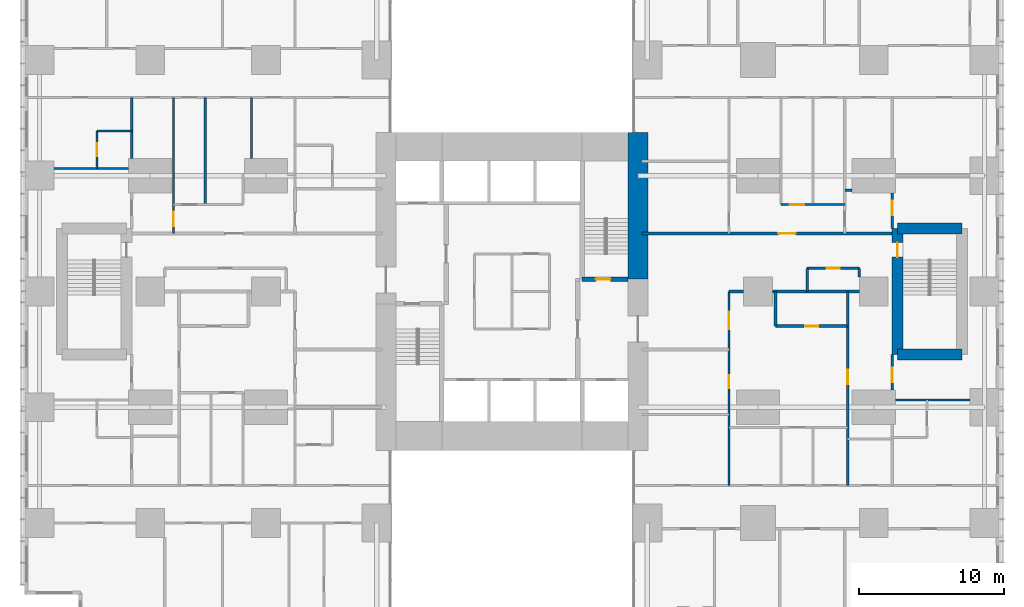
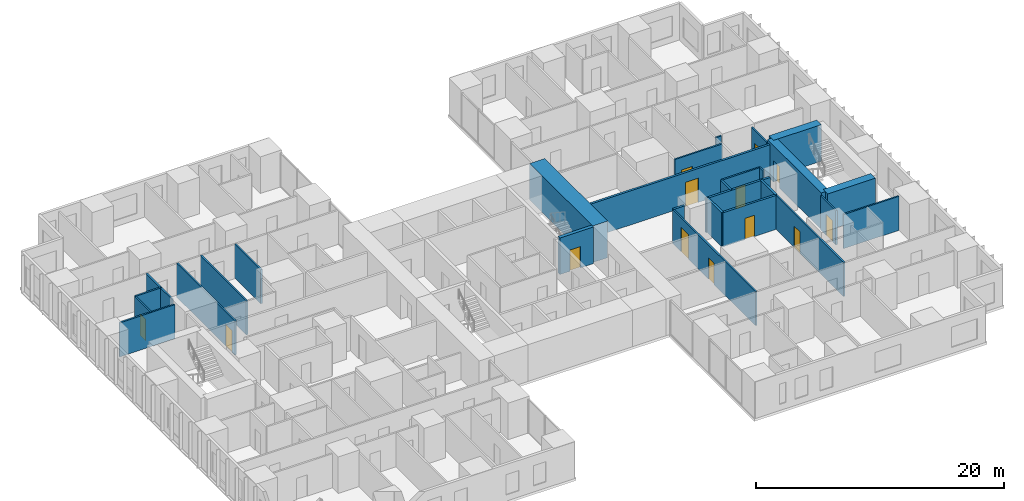
# One storey, part 16 of 20: 28 walls, 13 doors, 13 openings.
"""IFC4 building model written with IfcOpenShell, lengths in metres."""

from ifc_helpers import new_model, si_unit, direction, frame, frame_2d, origin, place, context, subcontext, project, spatial, rectangle, extrude, material, layer, layer_set, type_object, element, fill, save


model = new_model("IFC4")

# Units and contexts
model_context = context("Model", 3, precision=1e-05, world=origin(), true_north=direction((0.0, 1.0)))
body_context = subcontext(model_context, "Body", "Model", "MODEL_VIEW")
ifc_project = project(units=[si_unit("LENGTHUNIT", "METRE"), si_unit("AREAUNIT", "SQUARE_METRE"), si_unit("VOLUMEUNIT", "CUBIC_METRE"), si_unit("PLANEANGLEUNIT", "RADIAN"), si_unit("MASSUNIT", "GRAM", prefix="KILO")], contexts=[model_context])

# Site, building, storey
site_placement = place(None, origin())
site = spatial("IfcSite", under=ifc_project, at=site_placement, CompositionType="ELEMENT")
building_placement = place(site_placement, origin())
building = spatial("IfcBuilding", under=site, at=building_placement, Name="Cleftline Residences", CompositionType="ELEMENT")
storey_placement = place(building_placement, frame((0.0, 0.0, 44.0)))
storey = spatial("IfcBuildingStorey", under=building, at=storey_placement, Name="L10", CompositionType="ELEMENT", Elevation=44.0)

# Wall
ifc_material_1 = material(Name="Concrete B70", Category="concrete")
ifc_layer_1 = layer(ifc_material_1, 1.39990234375)
ifc_layer_set_1 = layer_set([ifc_layer_1], Name="CORE WALL 1400")
wall_type_1 = type_object("IfcWallType", Name="CORE WALL 1400", PredefinedType="SHEAR", material=ifc_layer_set_1)
wall_1_placement = place(storey_placement, frame((41.699951171875, 24.85009765625, 0.0), z_axis=(0.0, 0.0, 1.0), x_axis=(0.0, 1.0, 0.0)))
element("IfcWall", 1, at=wall_1_placement, inside=storey, type_object=wall_type_1, Name="Core wall E1", PredefinedType="SHEAR", context=body_context, shape_type="SweptSolid", body=[
    extrude(rectangle(XDim=10.14990234375, YDim=1.39990234375, at=frame_2d((5.074951171875, 0.0))), origin(), (0.0, 0.0, 1.0), 3.60009765625),
])

# Wall, opening, door
ifc_material_2 = material(Name="Concrete B70", Category="concrete")
ifc_layer_2 = layer(ifc_material_2, 0.300048828125)
ifc_layer_set_2 = layer_set([ifc_layer_2], Name="CORE WALL 300")
wall_type_2 = type_object("IfcWallType", Name="CORE WALL 300", PredefinedType="SHEAR", material=ifc_layer_set_2)
wall_2_placement = place(storey_placement, frame((37.85009765625, 24.85009765625, 0.0), z_axis=(0.0, 0.0, 1.0), x_axis=(1.0, 0.0, 0.0)))
wall_2 = element("IfcWall", 2, at=wall_2_placement, inside=storey, type_object=wall_type_2, Name="Core wall SB-S", PredefinedType="SHEAR", context=body_context, shape_type="SweptSolid", body=[
    extrude(rectangle(XDim=3.14990234375, YDim=0.300048828125, at=frame_2d((1.574951171875, 0.0))), origin(), (0.0, 0.0, 1.0), 3.60009765625),
])
opening_1_placement = place(wall_2_placement, frame((0.949951171875, 0.0, 0.0)))
opening_1 = element("IfcOpeningElement", 3, at=opening_1_placement, cuts=wall_2, Name="Opening D5", PredefinedType="OPENING", context=body_context, shape_type="SweptSolid", body=[
    extrude(rectangle(XDim=1.0, YDim=2.10009765625, at=frame_2d((0.5, 1.050048828125))), frame((0.0, 0.159912109375, 0.0), z_axis=(0.0, -1.0, 0.0), x_axis=(1.0, 0.0, 0.0)), (0.0, 0.0, 1.0), 0.320068359375),
])
ifc_material_3 = material(Name="Steel", Category="steel")
door_type_1 = type_object("IfcDoorType", Name="STAIR DOOR 1000X2100", OperationType="SINGLE_SWING_LEFT", PredefinedType="DOOR", material=ifc_material_3)
door_1_placement = place(opening_1_placement, origin())
door_1 = element("IfcDoor", 4, at=door_1_placement, inside=storey, type_object=door_type_1, Name="Stair B door", OperationType="SINGLE_SWING_RIGHT", OverallHeight=2.10009765625, OverallWidth=1.0, PredefinedType="DOOR", context=body_context, shape_type="SweptSolid", body=[
    extrude(rectangle(XDim=1.0, YDim=2.10009765625, at=frame_2d((0.5, 1.050048828125))), frame((0.0, 0.02490234375, 0.0), z_axis=(0.0, -1.0, 0.0), x_axis=(1.0, 0.0, 0.0)), (0.0, 0.0, 1.0), 0.050048828125),
])
fill(opening_1, door_1)

ifc_material_4 = material(Name="Concrete blockwork, fire rated", Category="masonry")
ifc_layer_3 = layer(ifc_material_4, 0.199951171875)
ifc_layer_set_3 = layer_set([ifc_layer_3], Name="FIRE WALL 200")
wall_type_3 = type_object("IfcWallType", Name="FIRE WALL 200", PredefinedType="PARTITIONING", material=ifc_layer_set_3)
wall_3_placement = place(storey_placement, frame((51.199951171875, 21.60009765625, 0.0), z_axis=(0.0, 0.0, 1.0), x_axis=(1.0, 0.0, 0.0)))
wall_3 = element("IfcWall", 5, at=wall_3_placement, inside=storey, type_object=wall_type_3, Name="Fire separating wall", PredefinedType="PARTITIONING", context=body_context, shape_type="SweptSolid", body=[
    extrude(rectangle(XDim=5.0, YDim=0.199951171875, at=frame_2d((2.5, 0.0))), origin(), (0.0, 0.0, 1.0), 3.35009765625),
])
opening_2_placement = place(wall_3_placement, frame((2.050048828125, 0.0, 0.0)))
opening_2 = element("IfcOpeningElement", 6, at=opening_2_placement, cuts=wall_3, Name="Opening D1F30", PredefinedType="OPENING", context=body_context, shape_type="SweptSolid", body=[
    extrude(rectangle(XDim=0.89990234375, YDim=2.10009765625, at=frame_2d((0.449951171875, 1.050048828125))), frame((0.0, 0.10986328125, 0.0), z_axis=(0.0, -1.0, 0.0), x_axis=(1.0, 0.0, 0.0)), (0.0, 0.0, 1.0), 0.219970703125),
])
ifc_material_5 = material(Name="Timber veneer on solid core", Category="wood")
door_type_2 = type_object("IfcDoorType", Name="DOOR 900X2100 EI 30", OperationType="SINGLE_SWING_LEFT", PredefinedType="DOOR", material=ifc_material_5)
door_2_placement = place(opening_2_placement, origin())
door_2 = element("IfcDoor", 7, at=door_2_placement, inside=storey, type_object=door_type_2, Name="Door to cloakroom wc", OperationType="SINGLE_SWING_LEFT", OverallHeight=2.10009765625, OverallWidth=0.89990234375, PredefinedType="DOOR", context=body_context, shape_type="SweptSolid", body=[
    extrude(rectangle(XDim=0.89990234375, YDim=2.10009765625, at=frame_2d((0.449951171875, 1.050048828125))), frame((0.0, 0.02490234375, 0.0), z_axis=(0.0, -1.0, 0.0), x_axis=(1.0, 0.0, 0.0)), (0.0, 0.0, 1.0), 0.050048828125),
])
fill(opening_2, door_2)

# Walls
wall_4_placement = place(storey_placement, frame((48.0, 24.0, 0.0), z_axis=(0.0, 0.0, 1.0), x_axis=(1.0, 0.0, 0.0)))
element("IfcWall", 8, at=wall_4_placement, inside=storey, type_object=wall_type_3, Name="Fire separating wall", PredefinedType="PARTITIONING", context=body_context, shape_type="SweptSolid", body=[
    extrude(rectangle(XDim=1.0, YDim=0.199951171875, at=frame_2d((0.5, 0.0))), origin(), (0.0, 0.0, 1.0), 3.35009765625),
])
wall_5_placement = place(storey_placement, frame((51.0, 24.0, 0.0), z_axis=(0.0, 0.0, 1.0), x_axis=(1.0, 0.0, 0.0)))
element("IfcWall", 9, at=wall_5_placement, inside=storey, type_object=wall_type_3, Name="Fire separating wall", PredefinedType="PARTITIONING", context=body_context, shape_type="SweptSolid", body=[
    extrude(rectangle(XDim=6.0, YDim=0.199951171875, at=frame_2d((3.0, 0.0))), origin(), (0.0, 0.0, 1.0), 3.35009765625),
])

# Wall, opening, door
wall_6_placement = place(storey_placement, frame((42.0, 28.0, 0.0), z_axis=(0.0, 0.0, 1.0), x_axis=(1.0, 0.0, 0.0)))
wall_6 = element("IfcWall", 10, at=wall_6_placement, inside=storey, type_object=wall_type_3, Name="Fire separating wall", PredefinedType="PARTITIONING", context=body_context, shape_type="SweptSolid", body=[
    extrude(rectangle(XDim=17.27490234375, YDim=0.199951171875, at=frame_2d((8.637451171875, 0.0))), origin(), (0.0, 0.0, 1.0), 3.35009765625),
])
opening_3_placement = place(wall_6_placement, frame((9.39990234375, 0.0, 0.0)))
opening_3 = element("IfcOpeningElement", 11, at=opening_3_placement, cuts=wall_6, Name="Opening D4", PredefinedType="OPENING", context=body_context, shape_type="SweptSolid", body=[
    extrude(rectangle(XDim=1.199951171875, YDim=2.39990234375, at=frame_2d((0.60009765625, 1.199951171875))), frame((0.0, 0.10986328125, 0.0), z_axis=(0.0, -1.0, 0.0), x_axis=(1.0, 0.0, 0.0)), (0.0, 0.0, 1.0), 0.219970703125),
])
ifc_material_6 = material(Name="Timber veneer on solid core", Category="wood")
door_type_3 = type_object("IfcDoorType", Name="APARTMENT ENTRANCE DOOR 1200X2400", OperationType="SINGLE_SWING_RIGHT", PredefinedType="DOOR", material=ifc_material_6)
door_3_placement = place(opening_3_placement, origin())
door_3 = element("IfcDoor", 12, at=door_3_placement, inside=storey, type_object=door_type_3, Name="Door to residence entrance foyer", OperationType="SINGLE_SWING_LEFT", OverallHeight=2.39990234375, OverallWidth=1.199951171875, PredefinedType="DOOR", context=body_context, shape_type="SweptSolid", body=[
    extrude(rectangle(XDim=1.199951171875, YDim=2.39990234375, at=frame_2d((0.60009765625, 1.199951171875))), frame((0.0, 0.02490234375, 0.0), z_axis=(0.0, -1.0, 0.0), x_axis=(1.0, 0.0, 0.0)), (0.0, 0.0, 1.0), 0.050048828125),
])
fill(opening_3, door_3)

# Walls
for number, where, z_axis, x_axis, name in (
    (13, (51.199951171875, 21.60009765625, 0.0), (0.0, 0.0, 1.0), (0.0, 1.0, 0.0), "Fire separating wall"),
    (14, (56.199951171875, 21.60009765625, 0.0), (0.0, 0.0, 1.0), (0.0, 1.0, 0.0), "Fire separating wall"),
):
    element("IfcWall", number, at=place(storey_placement, frame(where, z_axis=z_axis, x_axis=x_axis)), inside=storey, type_object=wall_type_3, Name=name, PredefinedType="PARTITIONING", context=body_context, shape_type="SweptSolid", body=[
        extrude(rectangle(XDim=2.39990234375, YDim=0.199951171875, at=frame_2d((1.199951171875, 0.0))), origin(), (0.0, 0.0, 1.0), 3.35009765625),
    ])
ifc_material_7 = material(Name="Gypsum board on steel studs", Category="steel")
ifc_layer_4 = layer(ifc_material_7, 0.14990234375)
ifc_layer_set_4 = layer_set([ifc_layer_4], Name="PARTITION 150")
wall_type_4 = type_object("IfcWallType", Name="PARTITION 150", PredefinedType="PARTITIONING", material=ifc_layer_set_4)
wall_7_placement = place(storey_placement, frame((59.5, 16.5, 0.0), z_axis=(0.0, 0.0, 1.0), x_axis=(1.0, 0.0, 0.0)))
element("IfcWall", 15, at=wall_7_placement, inside=storey, type_object=wall_type_4, Name="Partition", PredefinedType="PARTITIONING", context=body_context, shape_type="SweptSolid", body=[
    extrude(rectangle(XDim=5.14990234375, YDim=0.14990234375, at=frame_2d((2.574951171875, 0.0))), origin(), (0.0, 0.0, 1.0), 3.35009765625),
])

# Wall, opening, door
wall_8_placement = place(storey_placement, frame((53.39990234375, 25.60009765625, 0.0), z_axis=(0.0, 0.0, 1.0), x_axis=(1.0, 0.0, 0.0)))
wall_8 = element("IfcWall", 16, at=wall_8_placement, inside=storey, type_object=wall_type_4, Name="Partition", PredefinedType="PARTITIONING", context=body_context, shape_type="SweptSolid", body=[
    extrude(rectangle(XDim=3.60009765625, YDim=0.14990234375, at=frame_2d((1.800048828125, 0.0))), origin(), (0.0, 0.0, 1.0), 3.35009765625),
])
opening_4_placement = place(wall_8_placement, frame((1.35009765625, 0.0, 0.0)))
opening_4 = element("IfcOpeningElement", 17, at=opening_4_placement, cuts=wall_8, Name="Opening D1", PredefinedType="OPENING", context=body_context, shape_type="SweptSolid", body=[
    extrude(rectangle(XDim=0.89990234375, YDim=2.10009765625, at=frame_2d((0.449951171875, 1.050048828125))), frame((0.0, 0.0849609375, 0.0), z_axis=(0.0, -1.0, 0.0), x_axis=(1.0, 0.0, 0.0)), (0.0, 0.0, 1.0), 0.169921875),
])
ifc_material_8 = material(Name="Timber veneer on solid core", Category="wood")
door_type_4 = type_object("IfcDoorType", Name="DOOR 900X2100", OperationType="SINGLE_SWING_LEFT", PredefinedType="DOOR", material=ifc_material_8)
door_4_placement = place(opening_4_placement, origin())
door_4 = element("IfcDoor", 18, at=door_4_placement, inside=storey, type_object=door_type_4, Name="Door to residents' storage room", OperationType="SINGLE_SWING_LEFT", OverallHeight=2.10009765625, OverallWidth=0.89990234375, PredefinedType="DOOR", context=body_context, shape_type="SweptSolid", body=[
    extrude(rectangle(XDim=0.89990234375, YDim=2.10009765625, at=frame_2d((0.449951171875, 1.050048828125))), frame((0.0, 0.02490234375, 0.0), z_axis=(0.0, -1.0, 0.0), x_axis=(1.0, 0.0, 0.0)), (0.0, 0.0, 1.0), 0.050048828125),
])
fill(opening_4, door_4)

wall_9_placement = place(storey_placement, frame((51.60009765625, 30.0, 0.0), z_axis=(0.0, 0.0, 1.0), x_axis=(1.0, 0.0, 0.0)))
wall_9 = element("IfcWall", 19, at=wall_9_placement, inside=storey, type_object=wall_type_4, Name="Partition", PredefinedType="PARTITIONING", context=body_context, shape_type="SweptSolid", body=[
    extrude(rectangle(XDim=4.39990234375, YDim=0.14990234375, at=frame_2d((2.199951171875, 0.0))), origin(), (0.0, 0.0, 1.0), 3.35009765625),
])
opening_5_placement = place(wall_9_placement, frame((0.60009765625, 0.0, 0.0)))
opening_5 = element("IfcOpeningElement", 20, at=opening_5_placement, cuts=wall_9, Name="Opening D2", PredefinedType="OPENING", context=body_context, shape_type="SweptSolid", body=[
    extrude(rectangle(XDim=1.0, YDim=2.10009765625, at=frame_2d((0.5, 1.050048828125))), frame((0.0, 0.0849609375, 0.0), z_axis=(0.0, -1.0, 0.0), x_axis=(1.0, 0.0, 0.0)), (0.0, 0.0, 1.0), 0.169921875),
])
ifc_material_9 = material(Name="Timber veneer on solid core", Category="wood")
door_type_5 = type_object("IfcDoorType", Name="DOOR 1000X2100", OperationType="SINGLE_SWING_LEFT", PredefinedType="DOOR", material=ifc_material_9)
door_5_placement = place(opening_5_placement, origin())
door_5 = element("IfcDoor", 21, at=door_5_placement, inside=storey, type_object=door_type_5, Name="Door to residence passage", OperationType="SINGLE_SWING_RIGHT", OverallHeight=2.10009765625, OverallWidth=1.0, PredefinedType="DOOR", context=body_context, shape_type="SweptSolid", body=[
    extrude(rectangle(XDim=1.0, YDim=2.10009765625, at=frame_2d((0.5, 1.050048828125))), frame((0.0, 0.02490234375, 0.0), z_axis=(0.0, -1.0, 0.0), x_axis=(1.0, 0.0, 0.0)), (0.0, 0.0, 1.0), 0.050048828125),
])
fill(opening_5, door_5)

# Walls
wall_10_placement = place(storey_placement, frame((56.0, 31.0, 0.0), z_axis=(0.0, 0.0, 1.0), x_axis=(1.0, 0.0, 0.0)))
element("IfcWall", 22, at=wall_10_placement, inside=storey, type_object=wall_type_4, Name="Partition", PredefinedType="PARTITIONING", context=body_context, shape_type="SweptSolid", body=[
    extrude(rectangle(XDim=0.5, YDim=0.14990234375, at=frame_2d((0.25, 0.0))), origin(), (0.0, 0.0, 1.0), 3.35009765625),
])
wall_11_placement = place(storey_placement, frame((1.35009765625, 32.5, 0.0), z_axis=(0.0, 0.0, 1.0), x_axis=(1.0, 0.0, 0.0)))
element("IfcWall", 23, at=wall_11_placement, inside=storey, type_object=wall_type_4, Name="Partition", PredefinedType="PARTITIONING", context=body_context, shape_type="SweptSolid", body=[
    extrude(rectangle(XDim=5.14990234375, YDim=0.14990234375, at=frame_2d((2.574951171875, 0.0))), origin(), (0.0, 0.0, 1.0), 3.35009765625),
])
wall_12_placement = place(storey_placement, frame((4.324951171875, 35.10009765625, 0.0), z_axis=(0.0, 0.0, 1.0), x_axis=(1.0, 0.0, 0.0)))
element("IfcWall", 24, at=wall_12_placement, inside=storey, type_object=wall_type_4, Name="Partition", PredefinedType="PARTITIONING", context=body_context, shape_type="SweptSolid", body=[
    extrude(rectangle(XDim=2.400146484375, YDim=0.14990234375, at=frame_2d((1.2001953125, 0.0))), origin(), (0.0, 0.0, 1.0), 3.35009765625),
])

# Wall, opening, door
wall_13_placement = place(storey_placement, frame((4.324951171875, 32.5, 0.0), z_axis=(0.0, 0.0, 1.0), x_axis=(0.0, 1.0, 0.0)))
wall_13 = element("IfcWall", 25, at=wall_13_placement, inside=storey, type_object=wall_type_4, Name="Partition", PredefinedType="PARTITIONING", context=body_context, shape_type="SweptSolid", body=[
    extrude(rectangle(XDim=2.60009765625, YDim=0.14990234375, at=frame_2d((1.300048828125, 0.0))), origin(), (0.0, 0.0, 1.0), 3.35009765625),
])
opening_6_placement = place(wall_13_placement, frame((0.85009765625, 0.0, 0.0)))
opening_6 = element("IfcOpeningElement", 26, at=opening_6_placement, cuts=wall_13, Name="Opening D1", PredefinedType="OPENING", context=body_context, shape_type="SweptSolid", body=[
    extrude(rectangle(XDim=0.89990234375, YDim=2.10009765625, at=frame_2d((0.449951171875, 1.050048828125))), frame((0.0, 0.0849609375, 0.0), z_axis=(0.0, -1.0, 0.0), x_axis=(1.0, 0.0, 0.0)), (0.0, 0.0, 1.0), 0.169921875),
])
door_6_placement = place(opening_6_placement, origin())
door_6 = element("IfcDoor", 27, at=door_6_placement, inside=storey, type_object=door_type_4, Name="Door to en-suite bathroom 2", OperationType="SINGLE_SWING_LEFT", OverallHeight=2.10009765625, OverallWidth=0.89990234375, PredefinedType="DOOR", context=body_context, shape_type="SweptSolid", body=[
    extrude(rectangle(XDim=0.89990234375, YDim=2.10009765625, at=frame_2d((0.449951171875, 1.050048828125))), frame((0.0, 0.02490234375, 0.0), z_axis=(0.0, -1.0, 0.0), x_axis=(1.0, 0.0, 0.0)), (0.0, 0.0, 1.0), 0.050048828125),
])
fill(opening_6, door_6)

# Wall
wall_14_placement = place(storey_placement, frame((6.72509765625, 33.199951171875, 0.0), z_axis=(0.0, 0.0, 1.0), x_axis=(0.0, 1.0, 0.0)))
element("IfcWall", 28, at=wall_14_placement, inside=storey, type_object=wall_type_4, Name="Partition", PredefinedType="PARTITIONING", context=body_context, shape_type="SweptSolid", body=[
    extrude(rectangle(XDim=4.199951171875, YDim=0.14990234375, at=frame_2d((2.10009765625, 0.0))), origin(), (0.0, 0.0, 1.0), 3.35009765625),
])

# Wall, opening, door
wall_15_placement = place(storey_placement, frame((9.60009765625, 28.0, 0.0), z_axis=(0.0, 0.0, 1.0), x_axis=(0.0, 1.0, 0.0)))
wall_15 = element("IfcWall", 29, at=wall_15_placement, inside=storey, type_object=wall_type_4, Name="Partition", PredefinedType="PARTITIONING", context=body_context, shape_type="SweptSolid", body=[
    extrude(rectangle(XDim=9.39990234375, YDim=0.14990234375, at=frame_2d((4.699951171875, 0.0))), origin(), (0.0, 0.0, 1.0), 3.35009765625),
])
opening_7_placement = place(wall_15_placement, frame((0.5, 0.0, 0.0)))
opening_7 = element("IfcOpeningElement", 30, at=opening_7_placement, cuts=wall_15, Name="Opening D2F30", PredefinedType="OPENING", context=body_context, shape_type="SweptSolid", body=[
    extrude(rectangle(XDim=1.0, YDim=2.10009765625, at=frame_2d((0.5, 1.050048828125))), frame((0.0, 0.0849609375, 0.0), z_axis=(0.0, -1.0, 0.0), x_axis=(1.0, 0.0, 0.0)), (0.0, 0.0, 1.0), 0.169921875),
])
ifc_material_10 = material(Name="Timber veneer on solid core", Category="wood")
door_type_6 = type_object("IfcDoorType", Name="DOOR 1000X2100 EI 30", OperationType="SINGLE_SWING_LEFT", PredefinedType="DOOR", material=ifc_material_10)
door_7_placement = place(opening_7_placement, origin())
door_7 = element("IfcDoor", 31, at=door_7_placement, inside=storey, type_object=door_type_6, Name="Door to residence lobby (service)", OperationType="SINGLE_SWING_RIGHT", OverallHeight=2.10009765625, OverallWidth=1.0, PredefinedType="DOOR", context=body_context, shape_type="SweptSolid", body=[
    extrude(rectangle(XDim=1.0, YDim=2.10009765625, at=frame_2d((0.5, 1.050048828125))), frame((0.0, 0.02490234375, 0.0), z_axis=(0.0, -1.0, 0.0), x_axis=(1.0, 0.0, 0.0)), (0.0, 0.0, 1.0), 0.050048828125),
])
fill(opening_7, door_7)

# Walls
wall_16_placement = place(storey_placement, frame((11.800048828125, 30.0, 0.0), z_axis=(0.0, 0.0, 1.0), x_axis=(0.0, 1.0, 0.0)))
element("IfcWall", 32, at=wall_16_placement, inside=storey, type_object=wall_type_4, Name="Partition", PredefinedType="PARTITIONING", context=body_context, shape_type="SweptSolid", body=[
    extrude(rectangle(XDim=7.39990234375, YDim=0.14990234375, at=frame_2d((3.699951171875, 0.0))), origin(), (0.0, 0.0, 1.0), 3.35009765625),
])
wall_17_placement = place(storey_placement, frame((15.0, 33.199951171875, 0.0), z_axis=(0.0, 0.0, 1.0), x_axis=(0.0, 1.0, 0.0)))
element("IfcWall", 33, at=wall_17_placement, inside=storey, type_object=wall_type_4, Name="Partition", PredefinedType="PARTITIONING", context=body_context, shape_type="SweptSolid", body=[
    extrude(rectangle(XDim=4.199951171875, YDim=0.14990234375, at=frame_2d((2.10009765625, 0.0))), origin(), (0.0, 0.0, 1.0), 3.35009765625),
])

# Wall, openings, doors
wall_18_placement = place(storey_placement, frame((48.0, 10.60009765625, 0.0), z_axis=(0.0, 0.0, 1.0), x_axis=(0.0, 1.0, 0.0)))
wall_18 = element("IfcWall", 34, at=wall_18_placement, inside=storey, type_object=wall_type_4, Name="Partition", PredefinedType="PARTITIONING", context=body_context, shape_type="SweptSolid", body=[
    extrude(rectangle(XDim=13.39990234375, YDim=0.14990234375, at=frame_2d((6.699951171875, 0.0))), origin(), (0.0, 0.0, 1.0), 3.35009765625),
])
opening_8_placement = place(wall_18_placement, frame((10.800048828125, 0.0, 0.0)))
opening_8 = element("IfcOpeningElement", 35, at=opening_8_placement, cuts=wall_18, Name="Opening D4", PredefinedType="OPENING", context=body_context, shape_type="SweptSolid", body=[
    extrude(rectangle(XDim=1.199951171875, YDim=2.39990234375, at=frame_2d((0.60009765625, 1.199951171875))), frame((0.0, 0.0849609375, 0.0), z_axis=(0.0, -1.0, 0.0), x_axis=(1.0, 0.0, 0.0)), (0.0, 0.0, 1.0), 0.169921875),
])
opening_9_placement = place(wall_18_placement, frame((6.699951171875, 0.0, 0.0)))
opening_9 = element("IfcOpeningElement", 36, at=opening_9_placement, cuts=wall_18, Name="Opening D1F60", PredefinedType="OPENING", context=body_context, shape_type="SweptSolid", body=[
    extrude(rectangle(XDim=0.89990234375, YDim=2.10009765625, at=frame_2d((0.449951171875, 1.050048828125))), frame((0.0, 0.0849609375, 0.0), z_axis=(0.0, -1.0, 0.0), x_axis=(1.0, 0.0, 0.0)), (0.0, 0.0, 1.0), 0.169921875),
])
door_8_placement = place(opening_8_placement, origin())
door_8 = element("IfcDoor", 37, at=door_8_placement, inside=storey, type_object=door_type_3, Name="Door to residence entrance foyer", OperationType="SINGLE_SWING_LEFT", OverallHeight=2.39990234375, OverallWidth=1.199951171875, PredefinedType="DOOR", context=body_context, shape_type="SweptSolid", body=[
    extrude(rectangle(XDim=1.199951171875, YDim=2.39990234375, at=frame_2d((0.60009765625, 1.199951171875))), frame((0.0, 0.02490234375, 0.0), z_axis=(0.0, -1.0, 0.0), x_axis=(1.0, 0.0, 0.0)), (0.0, 0.0, 1.0), 0.050048828125),
])
fill(opening_8, door_8)
ifc_material_11 = material(Name="Timber veneer on solid core", Category="wood")
door_type_7 = type_object("IfcDoorType", Name="DOOR 900X2100 EI 60", OperationType="SINGLE_SWING_LEFT", PredefinedType="DOOR", material=ifc_material_11)
door_9_placement = place(opening_9_placement, origin())
door_9 = element("IfcDoor", 38, at=door_9_placement, inside=storey, type_object=door_type_7, Name="Door to utility room", OperationType="SINGLE_SWING_LEFT", OverallHeight=2.10009765625, OverallWidth=0.89990234375, PredefinedType="DOOR", context=body_context, shape_type="SweptSolid", body=[
    extrude(rectangle(XDim=0.89990234375, YDim=2.10009765625, at=frame_2d((0.449951171875, 1.050048828125))), frame((0.0, 0.02490234375, 0.0), z_axis=(0.0, -1.0, 0.0), x_axis=(1.0, 0.0, 0.0)), (0.0, 0.0, 1.0), 0.050048828125),
])
fill(opening_9, door_9)

# Wall
wall_19_placement = place(storey_placement, frame((53.39990234375, 24.0, 0.0), z_axis=(0.0, 0.0, 1.0), x_axis=(0.0, 1.0, 0.0)))
element("IfcWall", 39, at=wall_19_placement, inside=storey, type_object=wall_type_4, Name="Partition", PredefinedType="PARTITIONING", context=body_context, shape_type="SweptSolid", body=[
    extrude(rectangle(XDim=1.60009765625, YDim=0.14990234375, at=frame_2d((0.800048828125, 0.0))), origin(), (0.0, 0.0, 1.0), 3.35009765625),
])

# Wall, opening, door
wall_20_placement = place(storey_placement, frame((56.199951171875, 10.60009765625, 0.0), z_axis=(0.0, 0.0, 1.0), x_axis=(0.0, 1.0, 0.0)))
wall_20 = element("IfcWall", 40, at=wall_20_placement, inside=storey, type_object=wall_type_4, Name="Partition", PredefinedType="PARTITIONING", context=body_context, shape_type="SweptSolid", body=[
    extrude(rectangle(XDim=11.0, YDim=0.14990234375, at=frame_2d((5.5, 0.0))), origin(), (0.0, 0.0, 1.0), 3.35009765625),
])
opening_10_placement = place(wall_20_placement, frame((7.0, 0.0, 0.0)))
opening_10 = element("IfcOpeningElement", 41, at=opening_10_placement, cuts=wall_20, Name="Opening D2F30", PredefinedType="OPENING", context=body_context, shape_type="SweptSolid", body=[
    extrude(rectangle(XDim=1.0, YDim=2.10009765625, at=frame_2d((0.5, 1.050048828125))), frame((0.0, 0.0849609375, 0.0), z_axis=(0.0, -1.0, 0.0), x_axis=(1.0, 0.0, 0.0)), (0.0, 0.0, 1.0), 0.169921875),
])
door_10_placement = place(opening_10_placement, origin())
door_10 = element("IfcDoor", 42, at=door_10_placement, inside=storey, type_object=door_type_6, Name="Door to residence lobby", OperationType="SINGLE_SWING_LEFT", OverallHeight=2.10009765625, OverallWidth=1.0, PredefinedType="DOOR", context=body_context, shape_type="SweptSolid", body=[
    extrude(rectangle(XDim=1.0, YDim=2.10009765625, at=frame_2d((0.5, 1.050048828125))), frame((0.0, 0.02490234375, 0.0), z_axis=(0.0, -1.0, 0.0), x_axis=(1.0, 0.0, 0.0)), (0.0, 0.0, 1.0), 0.050048828125),
])
fill(opening_10, door_10)

# Wall
wall_21_placement = place(storey_placement, frame((57.0, 25.0, 0.0), z_axis=(0.0, 0.0, 1.0), x_axis=(0.0, 1.0, 0.0)))
element("IfcWall", 43, at=wall_21_placement, inside=storey, type_object=wall_type_4, Name="Partition", PredefinedType="PARTITIONING", context=body_context, shape_type="SweptSolid", body=[
    extrude(rectangle(XDim=0.60009765625, YDim=0.14990234375, at=frame_2d((0.300048828125, 0.0))), origin(), (0.0, 0.0, 1.0), 3.35009765625),
])

# Wall, opening, door
wall_22_placement = place(storey_placement, frame((59.27490234375, 17.199951171875, 0.0), z_axis=(0.0, 0.0, 1.0), x_axis=(0.0, 1.0, 0.0)))
wall_22 = element("IfcWall", 44, at=wall_22_placement, inside=storey, type_object=wall_type_4, Name="Partition", PredefinedType="PARTITIONING", context=body_context, shape_type="SweptSolid", body=[
    extrude(rectangle(XDim=2.449951171875, YDim=0.14990234375, at=frame_2d((1.22509765625, 0.0))), origin(), (0.0, 0.0, 1.0), 3.35009765625),
])
opening_11_placement = place(wall_22_placement, frame((0.53759765625, 0.0, 0.0)))
opening_11 = element("IfcOpeningElement", 45, at=opening_11_placement, cuts=wall_22, Name="Opening D2", PredefinedType="OPENING", context=body_context, shape_type="SweptSolid", body=[
    extrude(rectangle(XDim=1.0, YDim=2.10009765625, at=frame_2d((0.5, 1.050048828125))), frame((0.0, 0.0849609375, 0.0), z_axis=(0.0, -1.0, 0.0), x_axis=(1.0, 0.0, 0.0)), (0.0, 0.0, 1.0), 0.169921875),
])
door_11_placement = place(opening_11_placement, origin())
door_11 = element("IfcDoor", 46, at=door_11_placement, inside=storey, type_object=door_type_5, Name="Door to bedroom 2", OperationType="SINGLE_SWING_RIGHT", OverallHeight=2.10009765625, OverallWidth=1.0, PredefinedType="DOOR", context=body_context, shape_type="SweptSolid", body=[
    extrude(rectangle(XDim=1.0, YDim=2.10009765625, at=frame_2d((0.5, 1.050048828125))), frame((0.0, 0.02490234375, 0.0), z_axis=(0.0, -1.0, 0.0), x_axis=(1.0, 0.0, 0.0)), (0.0, 0.0, 1.0), 0.050048828125),
])
fill(opening_11, door_11)

wall_23_placement = place(storey_placement, frame((59.27490234375, 28.35009765625, 0.0), z_axis=(0.0, 0.0, 1.0), x_axis=(0.0, 1.0, 0.0)))
wall_23 = element("IfcWall", 47, at=wall_23_placement, inside=storey, type_object=wall_type_4, Name="Partition", PredefinedType="PARTITIONING", context=body_context, shape_type="SweptSolid", body=[
    extrude(rectangle(XDim=2.449951171875, YDim=0.14990234375, at=frame_2d((1.22509765625, 0.0))), origin(), (0.0, 0.0, 1.0), 3.35009765625),
])
opening_12_placement = place(wall_23_placement, frame((0.91259765625, 0.0, 0.0)))
opening_12 = element("IfcOpeningElement", 48, at=opening_12_placement, cuts=wall_23, Name="Opening D2", PredefinedType="OPENING", context=body_context, shape_type="SweptSolid", body=[
    extrude(rectangle(XDim=1.0, YDim=2.10009765625, at=frame_2d((0.5, 1.050048828125))), frame((0.0, 0.0849609375, 0.0), z_axis=(0.0, -1.0, 0.0), x_axis=(1.0, 0.0, 0.0)), (0.0, 0.0, 1.0), 0.169921875),
])
door_12_placement = place(opening_12_placement, origin())
door_12 = element("IfcDoor", 49, at=door_12_placement, inside=storey, type_object=door_type_5, Name="Door to sea-view dining room", OperationType="SINGLE_SWING_LEFT", OverallHeight=2.10009765625, OverallWidth=1.0, PredefinedType="DOOR", context=body_context, shape_type="SweptSolid", body=[
    extrude(rectangle(XDim=1.0, YDim=2.10009765625, at=frame_2d((0.5, 1.050048828125))), frame((0.0, 0.02490234375, 0.0), z_axis=(0.0, -1.0, 0.0), x_axis=(1.0, 0.0, 0.0)), (0.0, 0.0, 1.0), 0.050048828125),
])
fill(opening_12, door_12)

# Walls
ifc_material_12 = material(Name="Concrete B70", Category="concrete")
ifc_layer_5 = layer(ifc_material_12, 0.75)
ifc_layer_set_5 = layer_set([ifc_layer_5], Name="SHEAR WALL 750")
wall_type_5 = type_object("IfcWallType", Name="SHEAR WALL 750", PredefinedType="SHEAR", material=ifc_layer_set_5)
for number, where, z_axis, x_axis, name in (
    (50, (59.64990234375, 19.64990234375, 0.0), (0.0, 0.0, 1.0), (1.0, 0.0, 0.0), "Wing shear wall"),
    (51, (64.10009765625, 28.35009765625, 0.0), (0.0, 0.0, 1.0), (-1.0, 0.0, 0.0), "Wing shear wall"),
):
    element("IfcWall", number, at=place(storey_placement, frame(where, z_axis=z_axis, x_axis=x_axis)), inside=storey, type_object=wall_type_5, Name=name, PredefinedType="SHEAR", context=body_context, shape_type="SweptSolid", body=[
        extrude(rectangle(XDim=4.4501953125, YDim=0.75, at=frame_2d((2.22509765625, 0.0))), origin(), (0.0, 0.0, 1.0), 3.60009765625),
    ])

# Wall, opening, door
wall_24_placement = place(storey_placement, frame((59.64990234375, 28.35009765625, 0.0), z_axis=(0.0, 0.0, 1.0), x_axis=(0.0, -1.0, 0.0)))
wall_24 = element("IfcWall", 52, at=wall_24_placement, inside=storey, type_object=wall_type_5, Name="Wing shear wall", PredefinedType="SHEAR", context=body_context, shape_type="SweptSolid", body=[
    extrude(rectangle(XDim=8.7001953125, YDim=0.75, at=frame_2d((4.35009765625, 0.0))), origin(), (0.0, 0.0, 1.0), 3.60009765625),
])
opening_13_placement = place(wall_24_placement, frame((0.97509765625, 0.0, 0.0)))
opening_13 = element("IfcOpeningElement", 53, at=opening_13_placement, cuts=wall_24, Name="Opening D5", PredefinedType="OPENING", context=body_context, shape_type="SweptSolid", body=[
    extrude(rectangle(XDim=1.0, YDim=2.10009765625, at=frame_2d((0.5, 1.050048828125))), frame((0.0, 0.385009765625, 0.0), z_axis=(0.0, -1.0, 0.0), x_axis=(1.0, 0.0, 0.0)), (0.0, 0.0, 1.0), 0.77001953125),
])
door_13_placement = place(opening_13_placement, origin())
door_13 = element("IfcDoor", 54, at=door_13_placement, inside=storey, type_object=door_type_1, Name="Stair E door", OperationType="SINGLE_SWING_RIGHT", OverallHeight=2.10009765625, OverallWidth=1.0, PredefinedType="DOOR", context=body_context, shape_type="SweptSolid", body=[
    extrude(rectangle(XDim=1.0, YDim=2.10009765625, at=frame_2d((0.5, 1.050048828125))), frame((0.0, 0.02490234375, 0.0), z_axis=(0.0, -1.0, 0.0), x_axis=(1.0, 0.0, 0.0)), (0.0, 0.0, 1.0), 0.050048828125),
])
fill(opening_13, door_13)

save(model, "model.ifc")
